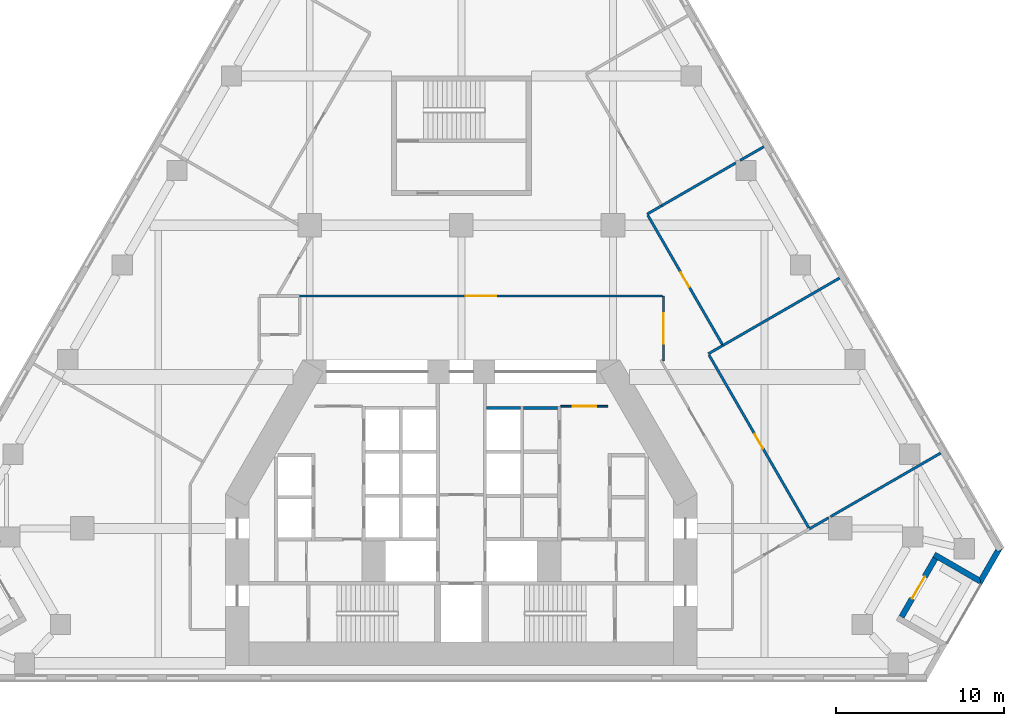
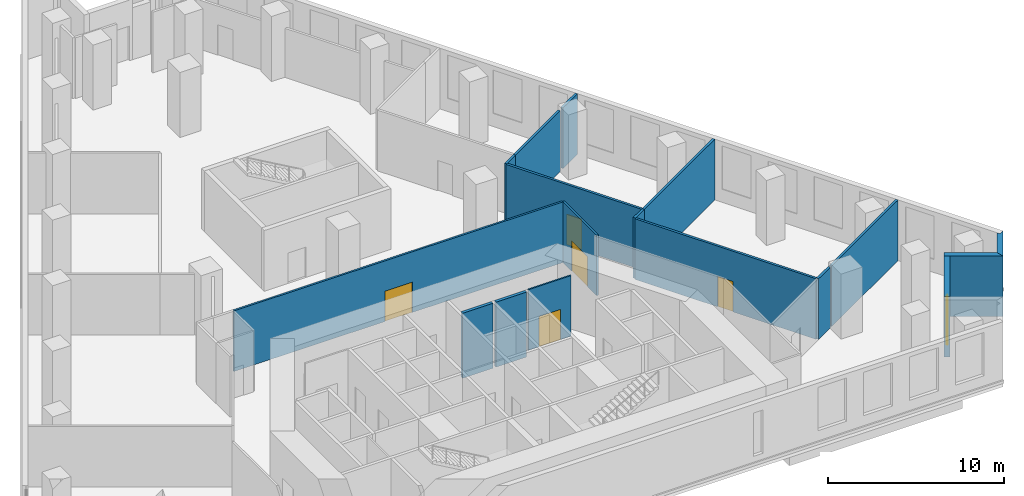
# One storey, part 7 of 10: 17 walls, 6 doors, 6 openings.
"""IFC4 building model written with IfcOpenShell, lengths in metres."""

import ifcopenshell
import ifcopenshell.guid

model = None  # the IFC model being written
_history = None  # IfcOwnerHistory: only IFC2X3 demands one
_inside = {}  # id of a spatial element -> (the spatial element, [elements in it])
_under = {}  # id of a project, library or spatial element -> (it, [spatial elements below it])
_declared = {}  # id of a project -> (the project, [libraries it declares])
_typed = {}  # id of a type object -> (the type object, [elements of that type])
_made_of = {}  # id of a material, layer set ... -> (it, [elements and type objects made of it])


def new_model(schema):
    """Start an empty IFC model of exactly this schema.

    Asked for "IFC4X3", IfcOpenShell would pick the latest addendum, in which some entities
    have other attributes; the version numbers below select the first issue.
    IFC2X3 requires an IfcOwnerHistory on every rooted entity: one is made here for all.
    """
    global model, _history
    if schema == "IFC4X3":
        model = ifcopenshell.file(schema_version=(4, 3, 0, 0))
    else:
        model = ifcopenshell.file(schema=schema)
    _inside.clear()
    _under.clear()
    _declared.clear()
    _typed.clear()
    _made_of.clear()
    _history = None
    if model.schema == "IFC2X3":
        org = make("IfcOrganization", Name="unknown")
        user = make(
            "IfcPersonAndOrganization",
            ThePerson=make("IfcPerson", FamilyName="unknown"),
            TheOrganization=org,
        )
        app = make(
            "IfcApplication",
            ApplicationDeveloper=org,
            Version="unknown",
            ApplicationFullName="unknown",
            ApplicationIdentifier="unknown",
        )
        _history = make(
            "IfcOwnerHistory",
            OwningUser=user,
            OwningApplication=app,
            ChangeAction="ADDED",
            CreationDate=0,
        )
    return model


def make(cls, **values):
    """One entity of the class cls with the attributes given. An attribute that is None is left unset."""
    return model.create_entity(
        cls, **{name: value for name, value in values.items() if value is not None}
    )


def rooted(cls, **values):
    """An entity with a GlobalId (a new one), such as an element, a storey or a relation."""
    return make(cls, GlobalId=ifcopenshell.guid.new(), OwnerHistory=_history, **values)


def si_unit(unit_type, name, prefix=None):
    """IfcSIUnit, for example si_unit("LENGTHUNIT", "METRE", prefix="MILLI")."""
    return make("IfcSIUnit", UnitType=unit_type, Prefix=prefix, Name=name)


def assignment(units):
    """IfcUnitAssignment: the units of a project."""
    return None if units is None else make("IfcUnitAssignment", Units=units)


def point(xyz):
    """IfcCartesianPoint."""
    return None if xyz is None else make("IfcCartesianPoint", Coordinates=xyz)


def direction(xyz):
    """IfcDirection."""
    return None if xyz is None else make("IfcDirection", DirectionRatios=xyz)


def frame(location, z_axis=None, x_axis=None):
    """IfcAxis2Placement3D, a coordinate frame: its origin and axes. An axis left out is left unset."""
    return make(
        "IfcAxis2Placement3D",
        Location=point(location),
        Axis=direction(z_axis),
        RefDirection=direction(x_axis),
    )


def frame_2d(location, x_axis=None):
    """IfcAxis2Placement2D, a coordinate frame in the plane: its origin and x axis."""
    return make(
        "IfcAxis2Placement2D", Location=point(location), RefDirection=direction(x_axis)
    )


def origin():
    """The frame at (0, 0, 0) with its axes left unset."""
    return frame((0.0, 0.0, 0.0))


def place(relative_to, where):
    """IfcLocalPlacement: puts the frame where relative to a parent placement (None: the world)."""
    return make(
        "IfcLocalPlacement", PlacementRelTo=relative_to, RelativePlacement=where
    )


def context(
    kind, dimensions, precision=None, world=None, true_north=None, identifier=None
):
    """IfcGeometricRepresentationContext, for example the 3D "Model" context."""
    return make(
        "IfcGeometricRepresentationContext",
        ContextIdentifier=identifier,
        ContextType=kind,
        CoordinateSpaceDimension=dimensions,
        Precision=precision,
        WorldCoordinateSystem=world,
        TrueNorth=true_north,
    )


def subcontext(parent, identifier, kind, view, scale=None):
    """IfcGeometricRepresentationSubContext, for example "Body" below "Model"."""
    return make(
        "IfcGeometricRepresentationSubContext",
        ContextIdentifier=identifier,
        ContextType=kind,
        ParentContext=parent,
        TargetScale=scale,
        TargetView=view,
    )


def project(units=None, contexts=None):
    """IfcProject with its units and contexts."""
    return rooted(
        "IfcProject",
        Name="project",
        RepresentationContexts=contexts,
        UnitsInContext=assignment(units),
    )


def spatial(cls, under=None, at=None, **own):
    """A site, building, storey or space (cls), placed at a placement, below another one or the project."""
    s = rooted(cls, ObjectPlacement=at, **own)
    if under is not None:
        _under.setdefault(under.id(), (under, []))[1].append(s)
    return s


def polyline(points):
    """IfcPolyline through the points."""
    return make("IfcPolyline", Points=[point(p) for p in points])


def profile(cls, at=None, kind="AREA", **sizes):
    """A parametric profile (cls). Its sizes go by their IFC names, for example OverallWidth=200.0."""
    return make(cls, ProfileType=kind, Position=at, **sizes)


def rectangle(**sizes):
    """IfcRectangleProfileDef."""
    return profile("IfcRectangleProfileDef", **sizes)


def outline(outer, holes=None, kind="AREA"):
    """IfcArbitraryClosedProfileDef: a profile drawn as a closed curve; with holes, ...WithVoids."""
    if holes is None:
        return make("IfcArbitraryClosedProfileDef", ProfileType=kind, OuterCurve=outer)
    return make(
        "IfcArbitraryProfileDefWithVoids",
        ProfileType=kind,
        OuterCurve=outer,
        InnerCurves=holes,
    )


def extrude(swept, where, along, depth):
    """IfcExtrudedAreaSolid: the profile swept, set in the frame where, extruded along a direction by depth."""
    return make(
        "IfcExtrudedAreaSolid",
        SweptArea=swept,
        Position=where,
        ExtrudedDirection=direction(along),
        Depth=depth,
    )


def shape(context_of_items, identifier, shape_type, items):
    """IfcShapeRepresentation: the items that make up one representation, for example the "Body"."""
    return make(
        "IfcShapeRepresentation",
        ContextOfItems=context_of_items,
        RepresentationIdentifier=identifier,
        RepresentationType=shape_type,
        Items=items,
    )


def material(Name=None, Category=None):
    """IfcMaterial."""
    return make("IfcMaterial", Name=Name, Category=Category)


def layer(
    of_material, thickness, ventilated=None, Name=None, Category=None, Priority=None
):
    """IfcMaterialLayer: one layer of a wall or slab, of a material (None: an air gap)."""
    return make(
        "IfcMaterialLayer",
        Material=of_material,
        LayerThickness=thickness,
        IsVentilated=ventilated,
        Name=Name,
        Category=Category,
        Priority=Priority,
    )


def layer_set(layers, Name=None):
    """IfcMaterialLayerSet."""
    return make("IfcMaterialLayerSet", MaterialLayers=layers, LayerSetName=Name)


def made_of(thing, what):
    """Note that an element or type object is made of a material, layer set ...; save() writes the relation."""
    if what is not None:
        _made_of.setdefault(what.id(), (what, []))[1].append(thing)
    return thing


def type_object(cls, material=None, **own):
    """A type object (cls), such as IfcWallType, which elements share."""
    return made_of(rooted(cls, **own), material)


def element(
    cls,
    number,
    at=None,
    inside=None,
    cuts=None,
    type_object=None,
    material=None,
    context=None,
    identifier="Body",
    shape_type=None,
    held_by="IfcProductDefinitionShape",
    body=None,
    shapes=None,
    **own,
):
    """One element of the class cls, such as IfcWall. Its Tag is "e" and its number.

    at: its placement. inside: the storey or other place that contains it. cuts: it is an
    opening in that element (IfcRelVoidsElement). A single representation is given by context,
    identifier, shape_type and body (its items); several are given by shapes. held_by: the class
    of the entity that holds the representations. save() writes the other relations.
    """
    e = rooted(cls, Tag="e%d" % number, ObjectPlacement=at, **own)
    if body is not None:
        shapes = [shape(context, identifier, shape_type, body)]
    if shapes is not None:
        e.Representation = make(held_by, Representations=shapes)
    if inside is not None:
        _inside.setdefault(inside.id(), (inside, []))[1].append(e)
    if cuts is not None:
        rooted(
            "IfcRelVoidsElement", RelatingBuildingElement=cuts, RelatedOpeningElement=e
        )
    if type_object is not None:
        _typed.setdefault(type_object.id(), (type_object, []))[1].append(e)
    return made_of(e, material)


def fill(opening, filler):
    """IfcRelFillsElement: the door or window that sits in an opening."""
    return rooted(
        "IfcRelFillsElement",
        RelatingOpeningElement=opening,
        RelatedBuildingElement=filler,
    )


def aggregate(whole, parts):
    """IfcRelAggregates: a whole, such as a stair, and the parts it consists of."""
    return rooted("IfcRelAggregates", RelatingObject=whole, RelatedObjects=parts)


def save(model, path):
    """Write the relations noted so far, then the file.

    IfcRelAggregates (storeys below a building ...), IfcRelContainedInSpatialStructure (elements
    in a storey), IfcRelDefinesByType, IfcRelAssociatesMaterial and IfcRelDeclares: one each for
    every whole, place, type object, material and project.
    """
    for whole, parts in _under.values():
        aggregate(whole, parts)
    for where, things in _inside.values():
        rooted(
            "IfcRelContainedInSpatialStructure",
            RelatedElements=things,
            RelatingStructure=where,
        )
    for kind, things in _typed.values():
        rooted("IfcRelDefinesByType", RelatedObjects=things, RelatingType=kind)
    for what, things in _made_of.values():
        rooted("IfcRelAssociatesMaterial", RelatedObjects=things, RelatingMaterial=what)
    for by, libraries in _declared.values():
        rooted("IfcRelDeclares", RelatingContext=by, RelatedDefinitions=libraries)
    model.write(path)


model = new_model("IFC4")

# Units and contexts
model_context = context("Model", 3, precision=1e-05, world=origin(), true_north=direction((0.0, 1.0)))
body_context = subcontext(model_context, "Body", "Model", "MODEL_VIEW")
ifc_project = project(units=[si_unit("LENGTHUNIT", "METRE"), si_unit("AREAUNIT", "SQUARE_METRE"), si_unit("VOLUMEUNIT", "CUBIC_METRE"), si_unit("PLANEANGLEUNIT", "RADIAN"), si_unit("MASSUNIT", "GRAM", prefix="KILO")], contexts=[model_context])

# Site, building, storey
site_placement = place(None, origin())
site = spatial("IfcSite", under=ifc_project, at=site_placement, CompositionType="ELEMENT")
building_placement = place(site_placement, origin())
building = spatial("IfcBuilding", under=site, at=building_placement, Name="Fogline Exchange Tower", CompositionType="ELEMENT")
storey_placement = place(building_placement, frame((0.0, 0.0, 38.5)))
storey = spatial("IfcBuildingStorey", under=building, at=storey_placement, Name="L07", CompositionType="ELEMENT", Elevation=38.5)

# Wall, opening, door
ifc_material_1 = material(Name="Blockwork partition", Category="masonry")
ifc_layer_1 = layer(ifc_material_1, 0.10009765625)
ifc_layer_set_1 = layer_set([ifc_layer_1], Name="CW10")
wall_type_1 = type_object("IfcWallType", Name="CW10", PredefinedType="PARTITIONING", material=ifc_layer_set_1)
wall_1_placement = place(storey_placement, frame((5.89990234375, 16.25, 0.0), z_axis=(0.0, 0.0, 1.0), x_axis=(1.0, 0.0, 0.0)))
wall_1 = element("IfcWall", 1, at=wall_1_placement, inside=storey, type_object=wall_type_1, Name="Lift lobby partition", PredefinedType="PARTITIONING", context=body_context, shape_type="SweptSolid", body=[
    extrude(rectangle(XDim=2.800048828125, YDim=0.10009765625, at=frame_2d((1.39990234375, 0.0))), origin(), (0.0, 0.0, 1.0), 4.199951171875),
])
opening_1_placement = place(wall_1_placement, frame((0.699951171875, 0.0, 0.0)))
opening_1 = element("IfcOpeningElement", 2, at=opening_1_placement, cuts=wall_1, Name="Opening T02-C013", PredefinedType="OPENING", context=body_context, shape_type="SweptSolid", body=[
    extrude(rectangle(XDim=1.39990234375, YDim=2.10009765625, at=frame_2d((0.699951171875, 1.050048828125))), frame((0.0, 0.06005859375, 0.0), z_axis=(0.0, -1.0, 0.0), x_axis=(1.0, 0.0, 0.0)), (0.0, 0.0, 1.0), 0.1201171875),
])
ifc_material_2 = material(Name="Steel and timber fire door", Category="steel")
door_type_1 = type_object("IfcDoorType", Name="D-LB1", OperationType="DOUBLE_DOOR_SINGLE_SWING", PredefinedType="DOOR", material=ifc_material_2)
door_1_placement = place(opening_1_placement, origin())
door_1 = element("IfcDoor", 3, at=door_1_placement, inside=storey, type_object=door_type_1, Name="Door to lift lobby", OperationType="DOUBLE_DOOR_SINGLE_SWING", OverallHeight=2.10009765625, OverallWidth=1.39990234375, PredefinedType="DOOR", context=body_context, shape_type="SweptSolid", body=[
    extrude(rectangle(XDim=1.39990234375, YDim=2.10009765625, at=frame_2d((0.699951171875, 1.050048828125))), frame((0.0, 0.02490234375, 0.0), z_axis=(0.0, -1.0, 0.0), x_axis=(1.0, 0.0, 0.0)), (0.0, 0.0, 1.0), 0.050048828125),
])
fill(opening_1, door_1)

# Walls
ifc_material_3 = material(Name="Concrete C40", Category="concrete")
ifc_layer_2 = layer(ifc_material_3, 0.199951171875)
ifc_layer_set_2 = layer_set([ifc_layer_2], Name="CW20S")
wall_type_2 = type_object("IfcWallType", Name="CW20S", PredefinedType="SOLIDWALL", material=ifc_layer_set_2)
for number, where, z_axis, x_axis, name in (
    (4, (3.699951171875, 16.14990234375, -0.300048828125), (0.0, 0.0, 1.0), (1.0, 0.0, 0.0), "Lift shaft wall"),
    (5, (1.5, 16.14990234375, -0.300048828125), (0.0, 0.0, 1.0), (1.0, 0.0, 0.0), "Lift shaft wall"),
):
    element("IfcWall", number, at=place(storey_placement, frame(where, z_axis=z_axis, x_axis=x_axis)), inside=storey, type_object=wall_type_2, Name=name, PredefinedType="SOLIDWALL", context=body_context, shape_type="SweptSolid", body=[
        extrude(rectangle(XDim=2.0, YDim=0.199951171875, at=frame_2d((1.0, 0.0))), origin(), (0.0, 0.0, 1.0), 4.5),
    ])

# Wall, opening, door
ifc_material_4 = material(Name="Brick masonry", Category="masonry")
ifc_layer_3 = layer(ifc_material_4, 0.340087890625)
ifc_layer_set_3 = layer_set([ifc_layer_3], Name="FW1")
wall_type_3 = type_object("IfcWallType", Name="FW1", PredefinedType="SOLIDWALL", material=ifc_layer_set_3)
wall_2_placement = place(storey_placement, frame((26.13232421875, 3.75, 0.0), z_axis=(0.0, 0.0, 1.0), x_axis=(0.49999894854, 0.866026010844, 0.0)))
wall_2 = element("IfcWall", 6, at=wall_2_placement, inside=storey, type_object=wall_type_3, Name="Brick wall L07 SE-bk", PredefinedType="SOLIDWALL", context=body_context, shape_type="SweptSolid", body=[
    extrude(rectangle(XDim=4.0, YDim=0.340087890625, at=frame_2d((2.0, 0.0))), origin(), (0.0, 0.0, 1.0), 4.199951171875),
])
opening_2_placement = place(wall_2_placement, frame((1.25, 0.0, 0.0)))
opening_2 = element("IfcOpeningElement", 7, at=opening_2_placement, cuts=wall_2, Name="Opening T02-E081", PredefinedType="OPENING", context=body_context, shape_type="SweptSolid", body=[
    extrude(rectangle(XDim=1.5, YDim=2.39990234375, at=frame_2d((0.75, 1.199951171875))), frame((0.0, 0.18017578125, 0.0), z_axis=(0.0, -1.0, 0.0), x_axis=(1.0, 0.0, 0.0)), (0.0, 0.0, 1.0), 0.360107421875),
])
ifc_material_5 = material(Name="Aluminium and glass", Category="aluminium")
door_type_2 = type_object("IfcDoorType", Name="ED4", OperationType="SINGLE_SWING_LEFT", PredefinedType="DOOR", material=ifc_material_5)
door_2_placement = place(opening_2_placement, frame((1.5, 0.0, 0.0), z_axis=(0.0, 0.0, 1.0), x_axis=(-1.0, 0.0, 0.0)))
door_2 = element("IfcDoor", 8, at=door_2_placement, inside=storey, type_object=door_type_2, Name="Balcony door L07 SE", OperationType="DOUBLE_DOOR_SINGLE_SWING", OverallHeight=2.39990234375, OverallWidth=1.5, PredefinedType="DOOR", context=body_context, shape_type="SweptSolid", body=[
    extrude(rectangle(XDim=1.5, YDim=2.39990234375, at=frame_2d((0.75, 1.199951171875))), frame((0.0, 0.02490234375, 0.0), z_axis=(0.0, -1.0, 0.0), x_axis=(1.0, 0.0, 0.0)), (0.0, 0.0, 1.0), 0.050048828125),
])
fill(opening_2, door_2)

# Walls
wall_3_placement = place(storey_placement, origin())
element("IfcWall", 9, at=wall_3_placement, inside=storey, type_object=wall_type_3, Name="Brick wall L07 SE-s2", PredefinedType="SOLIDWALL", context=body_context, shape_type="SweptSolid", body=[
    extrude(outline(polyline([(30.878173828125, 5.628173828125), (28.279296875, 7.128662109375), (27.984375, 7.298828125), (28.15478515625, 7.594482421875), (30.753662109375, 6.093994140625), (30.87841796875, 5.62841796875), (30.878173828125, 5.628173828125)])), origin(), (0.0, 0.0, 1.0), 4.199951171875),
])
wall_4_placement = place(storey_placement, origin())
element("IfcWall", 10, at=wall_4_placement, inside=storey, type_object=wall_type_3, Name="Brick wall L07 SE-c2", PredefinedType="SOLIDWALL", context=body_context, shape_type="SweptSolid", body=[
    extrude(outline(polyline([(31.735107421875, 7.79541015625), (31.83349609375, 7.625), (32.128173828125, 7.79541015625), (32.128662109375, 7.794921875), (30.877685546875, 5.6279296875), (30.877197265625, 5.6279296875), (30.75244140625, 6.09375), (31.735107421875, 7.79541015625)])), origin(), (0.0, 0.0, 1.0), 4.199951171875),
])

# Wall, opening, door
ifc_material_6 = material(Name="Plasterboard corridor partition with mineral wool, 2 layers each side")
ifc_layer_4 = layer(ifc_material_6, 0.125)
ifc_layer_set_4 = layer_set([ifc_layer_4], Name="PW2")
wall_type_4 = type_object("IfcWallType", Name="PW2", PredefinedType="PARTITIONING", material=ifc_layer_set_4)
wall_5_placement = place(storey_placement, frame((-9.60009765625, 22.800048828125, 0.0), z_axis=(0.0, 0.0, 1.0), x_axis=(1.0, 0.0, 0.0)))
wall_5 = element("IfcWall", 11, at=wall_5_placement, inside=storey, type_object=wall_type_4, Name="wall-L07-W005", PredefinedType="PARTITIONING", context=body_context, shape_type="SweptSolid", body=[
    extrude(rectangle(XDim=21.53759765625, YDim=0.125, at=frame_2d((10.768798828125, 0.0))), origin(), (0.0, 0.0, 1.0), 4.199951171875),
])
opening_3_placement = place(wall_5_placement, frame((9.868896484375, 0.0, 0.0)))
opening_3 = element("IfcOpeningElement", 12, at=opening_3_placement, cuts=wall_5, Name="Opening T02-D003", PredefinedType="OPENING", context=body_context, shape_type="SweptSolid", body=[
    extrude(rectangle(XDim=1.800048828125, YDim=2.10009765625, at=frame_2d((0.89990234375, 1.050048828125))), frame((0.0, 0.072509765625, 0.0), z_axis=(0.0, -1.0, 0.0), x_axis=(1.0, 0.0, 0.0)), (0.0, 0.0, 1.0), 0.14501953125),
])
ifc_material_7 = material(Name="Fire-rated timber door leaves with steel frame", Category="steel")
door_type_3 = type_object("IfcDoorType", Name="D4", OperationType="DOUBLE_DOOR_SINGLE_SWING", PredefinedType="DOOR", material=ifc_material_7)
door_3_placement = place(opening_3_placement, frame((1.800048828125, 0.0, 0.0), z_axis=(0.0, 0.0, 1.0), x_axis=(-1.0, 0.0, 0.0)))
door_3 = element("IfcDoor", 13, at=door_3_placement, inside=storey, type_object=door_type_3, Name="door-L07-D003", OperationType="DOUBLE_DOOR_SINGLE_SWING", OverallHeight=2.10009765625, OverallWidth=1.800048828125, PredefinedType="DOOR", context=body_context, shape_type="SweptSolid", body=[
    extrude(rectangle(XDim=1.800048828125, YDim=2.10009765625, at=frame_2d((0.89990234375, 1.050048828125))), frame((0.0, 0.02490234375, 0.0), z_axis=(0.0, -1.0, 0.0), x_axis=(1.0, 0.0, 0.0)), (0.0, 0.0, 1.0), 0.050048828125),
])
fill(opening_3, door_3)

wall_6_placement = place(storey_placement, frame((12.0, 22.800048828125, 0.0), z_axis=(0.0, 0.0, 1.0), x_axis=(0.0, -1.0, 0.0)))
wall_6 = element("IfcWall", 14, at=wall_6_placement, inside=storey, type_object=wall_type_4, Name="wall-L07-W006", PredefinedType="PARTITIONING", context=body_context, shape_type="SweptSolid", body=[
    extrude(rectangle(XDim=3.850830078125, YDim=0.125, at=frame_2d((1.92529296875, 0.0))), origin(), (0.0, 0.0, 1.0), 4.199951171875),
])
opening_4_placement = place(wall_6_placement, frame((1.025390625, 0.0, 0.0)))
opening_4 = element("IfcOpeningElement", 15, at=opening_4_placement, cuts=wall_6, Name="Opening T02-D002", PredefinedType="OPENING", context=body_context, shape_type="SweptSolid", body=[
    extrude(rectangle(XDim=1.800048828125, YDim=2.10009765625, at=frame_2d((0.89990234375, 1.050048828125))), frame((0.0, 0.072509765625, 0.0), z_axis=(0.0, -1.0, 0.0), x_axis=(1.0, 0.0, 0.0)), (0.0, 0.0, 1.0), 0.14501953125),
])
door_4_placement = place(opening_4_placement, frame((1.800048828125, 0.0, 0.0), z_axis=(0.0, 0.0, 1.0), x_axis=(-1.0, 0.0, 0.0)))
door_4 = element("IfcDoor", 16, at=door_4_placement, inside=storey, type_object=door_type_3, Name="door-L07-D002", OperationType="DOUBLE_DOOR_SINGLE_SWING", OverallHeight=2.10009765625, OverallWidth=1.800048828125, PredefinedType="DOOR", context=body_context, shape_type="SweptSolid", body=[
    extrude(rectangle(XDim=1.800048828125, YDim=2.10009765625, at=frame_2d((0.89990234375, 1.050048828125))), frame((0.0, 0.02490234375, 0.0), z_axis=(0.0, -1.0, 0.0), x_axis=(1.0, 0.0, 0.0)), (0.0, 0.0, 1.0), 0.050048828125),
])
fill(opening_4, door_4)

# Walls
ifc_material_8 = material(Name="Plasterboard demising partition with mineral wool and acoustic board")
ifc_layer_5 = layer(ifc_material_8, 0.14990234375)
ifc_layer_set_5 = layer_set([ifc_layer_5], Name="PW3")
wall_type_5 = type_object("IfcWallType", Name="PW3", PredefinedType="PARTITIONING", material=ifc_layer_set_5)
wall_7_placement = place(storey_placement, frame((11.892822265625, 28.161865234375, 0.0), z_axis=(0.0, 0.0, 1.0), x_axis=(0.866023813814, 0.5000027539, 0.0)))
element("IfcWall", 17, at=wall_7_placement, inside=storey, type_object=wall_type_5, Name="wall-L07-W014", PredefinedType="PARTITIONING", context=body_context, shape_type="SweptSolid", body=[
    extrude(rectangle(XDim=5.07666015625, YDim=0.14990234375, at=frame_2d((2.538330078125, 0.0))), origin(), (0.0, 0.0, 1.0), 4.199951171875),
])
wall_8_placement = place(storey_placement, frame((16.5537109375, 30.852783203125, 0.0), z_axis=(0.0, 0.0, 1.0), x_axis=(0.866024786089, 0.500001069878, 0.0)))
element("IfcWall", 18, at=wall_8_placement, inside=storey, type_object=wall_type_5, Name="wall-L07-W015", PredefinedType="PARTITIONING", context=body_context, shape_type="SweptSolid", body=[
    extrude(rectangle(XDim=1.6181640625, YDim=0.14990234375, at=frame_2d((0.80908203125, 0.0))), origin(), (0.0, 0.0, 1.0), 4.199951171875),
])

# Wall, opening, door
wall_9_placement = place(storey_placement, frame((15.4892578125, 19.9326171875, 0.0), z_axis=(0.0, 0.0, 1.0), x_axis=(-0.500005027614, 0.86602250107, 0.0)))
wall_9 = element("IfcWall", 19, at=wall_9_placement, inside=storey, type_object=wall_type_5, Name="wall-L07-W016", PredefinedType="PARTITIONING", context=body_context, shape_type="SweptSolid", body=[
    extrude(rectangle(XDim=8.85009765625, YDim=0.14990234375, at=frame_2d((4.425048828125, 0.0))), origin(), (0.0, 0.0, 1.0), 4.199951171875),
])
opening_5_placement = place(wall_9_placement, frame((3.925048828125, 0.0, 0.0)))
opening_5 = element("IfcOpeningElement", 20, at=opening_5_placement, cuts=wall_9, Name="Opening T02-D006", PredefinedType="OPENING", context=body_context, shape_type="SweptSolid", body=[
    extrude(rectangle(XDim=1.0, YDim=2.10009765625, at=frame_2d((0.5, 1.050048828125))), frame((0.0, 0.0849609375, 0.0), z_axis=(0.0, -1.0, 0.0), x_axis=(1.0, 0.0, 0.0)), (0.0, 0.0, 1.0), 0.169921875),
])
ifc_material_9 = material(Name="Fire-rated timber door leaf with steel frame", Category="steel")
door_type_4 = type_object("IfcDoorType", Name="D3", OperationType="SINGLE_SWING_LEFT", PredefinedType="DOOR", material=ifc_material_9)
door_5_placement = place(opening_5_placement, frame((1.0, 0.0, 0.0), z_axis=(0.0, 0.0, 1.0), x_axis=(-1.0, 0.0, 0.0)))
door_5 = element("IfcDoor", 21, at=door_5_placement, inside=storey, type_object=door_type_4, Name="door-L07-D006", OperationType="SINGLE_SWING_LEFT", OverallHeight=2.10009765625, OverallWidth=1.0, PredefinedType="DOOR", context=body_context, shape_type="SweptSolid", body=[
    extrude(rectangle(XDim=1.0, YDim=2.10009765625, at=frame_2d((0.5, 1.050048828125))), frame((0.0, 0.02490234375, 0.0), z_axis=(0.0, -1.0, 0.0), x_axis=(1.0, 0.0, 0.0)), (0.0, 0.0, 1.0), 0.050048828125),
])
fill(opening_5, door_5)

# Walls
wall_10_placement = place(storey_placement, frame((11.02685546875, 27.661865234375, 0.0), z_axis=(0.0, 0.0, 1.0), x_axis=(0.866010750942, 0.50002537861, 0.0)))
element("IfcWall", 22, at=wall_10_placement, inside=storey, type_object=wall_type_5, Name="wall-L07-W017", PredefinedType="PARTITIONING", context=body_context, shape_type="SweptSolid", body=[
    extrude(rectangle(XDim=1.0, YDim=0.14990234375, at=frame_2d((0.5, 0.0))), origin(), (0.0, 0.0, 1.0), 4.199951171875),
])
wall_11_placement = place(storey_placement, frame((22.455078125, 23.86767578125, 0.0), z_axis=(0.0, 0.0, 1.0), x_axis=(-0.866026010844, -0.49999894854, 0.0)))
element("IfcWall", 23, at=wall_11_placement, inside=storey, type_object=wall_type_5, Name="wall-L07-W018", PredefinedType="PARTITIONING", context=body_context, shape_type="SweptSolid", body=[
    extrude(rectangle(XDim=8.0, YDim=0.14990234375, at=frame_2d((4.0, 0.0))), origin(), (0.0, 0.0, 1.0), 4.199951171875),
])
wall_12_placement = place(storey_placement, frame((15.52685546875, 19.86767578125, 0.0), z_axis=(0.0, 0.0, 1.0), x_axis=(-0.866010750942, -0.50002537861, 0.0)))
element("IfcWall", 24, at=wall_12_placement, inside=storey, type_object=wall_type_5, Name="wall-L07-W037", PredefinedType="PARTITIONING", context=body_context, shape_type="SweptSolid", body=[
    extrude(rectangle(XDim=1.0, YDim=0.14990234375, at=frame_2d((0.5, 0.0))), origin(), (0.0, 0.0, 1.0), 4.199951171875),
])

# Wall, opening, door
wall_13_placement = place(storey_placement, frame((14.6982421875, 19.302734375, 0.0), z_axis=(0.0, 0.0, 1.0), x_axis=(0.500001258315, -0.866024677295, 0.0)))
wall_13 = element("IfcWall", 25, at=wall_13_placement, inside=storey, type_object=wall_type_5, Name="wall-L07-W038", PredefinedType="PARTITIONING", context=body_context, shape_type="SweptSolid", body=[
    extrude(rectangle(XDim=11.85009765625, YDim=0.14990234375, at=frame_2d((5.925048828125, 0.0))), origin(), (0.0, 0.0, 1.0), 4.199951171875),
])
opening_6_placement = place(wall_13_placement, frame((5.425048828125, 0.0, 0.0)))
opening_6 = element("IfcOpeningElement", 26, at=opening_6_placement, cuts=wall_13, Name="Opening T02-D012", PredefinedType="OPENING", context=body_context, shape_type="SweptSolid", body=[
    extrude(rectangle(XDim=1.0, YDim=2.10009765625, at=frame_2d((0.5, 1.050048828125))), frame((0.0, 0.0849609375, 0.0), z_axis=(0.0, -1.0, 0.0), x_axis=(1.0, 0.0, 0.0)), (0.0, 0.0, 1.0), 0.169921875),
])
door_6_placement = place(opening_6_placement, origin())
door_6 = element("IfcDoor", 27, at=door_6_placement, inside=storey, type_object=door_type_4, Name="door-L07-D012", OperationType="SINGLE_SWING_RIGHT", OverallHeight=2.10009765625, OverallWidth=1.0, PredefinedType="DOOR", context=body_context, shape_type="SweptSolid", body=[
    extrude(rectangle(XDim=1.0, YDim=2.10009765625, at=frame_2d((0.5, 1.050048828125))), frame((0.0, 0.02490234375, 0.0), z_axis=(0.0, -1.0, 0.0), x_axis=(1.0, 0.0, 0.0)), (0.0, 0.0, 1.0), 0.050048828125),
])
fill(opening_6, door_6)

# Walls
wall_14_placement = place(storey_placement, frame((20.660888671875, 8.975341796875, 0.0), z_axis=(0.0, 0.0, 1.0), x_axis=(0.866018681408, 0.500011643316, 0.0)))
element("IfcWall", 28, at=wall_14_placement, inside=storey, type_object=wall_type_5, Name="wall-L07-W045", PredefinedType="PARTITIONING", context=body_context, shape_type="SweptSolid", body=[
    extrude(rectangle(XDim=1.3154296875, YDim=0.14990234375, at=frame_2d((0.65771484375, 0.0))), origin(), (0.0, 0.0, 1.0), 4.199951171875),
])
wall_15_placement = place(storey_placement, frame((21.915771484375, 9.699951171875, 0.0), z_axis=(0.0, 0.0, 1.0), x_axis=(0.866029981338, 0.499992071361, 0.0)))
element("IfcWall", 29, at=wall_15_placement, inside=storey, type_object=wall_type_5, Name="wall-L07-W046", PredefinedType="PARTITIONING", context=body_context, shape_type="SweptSolid", body=[
    extrude(rectangle(XDim=7.55078125, YDim=0.14990234375, at=frame_2d((3.775390625, 0.0))), origin(), (0.0, 0.0, 1.0), 4.199951171875),
])

save(model, "model.ifc")
